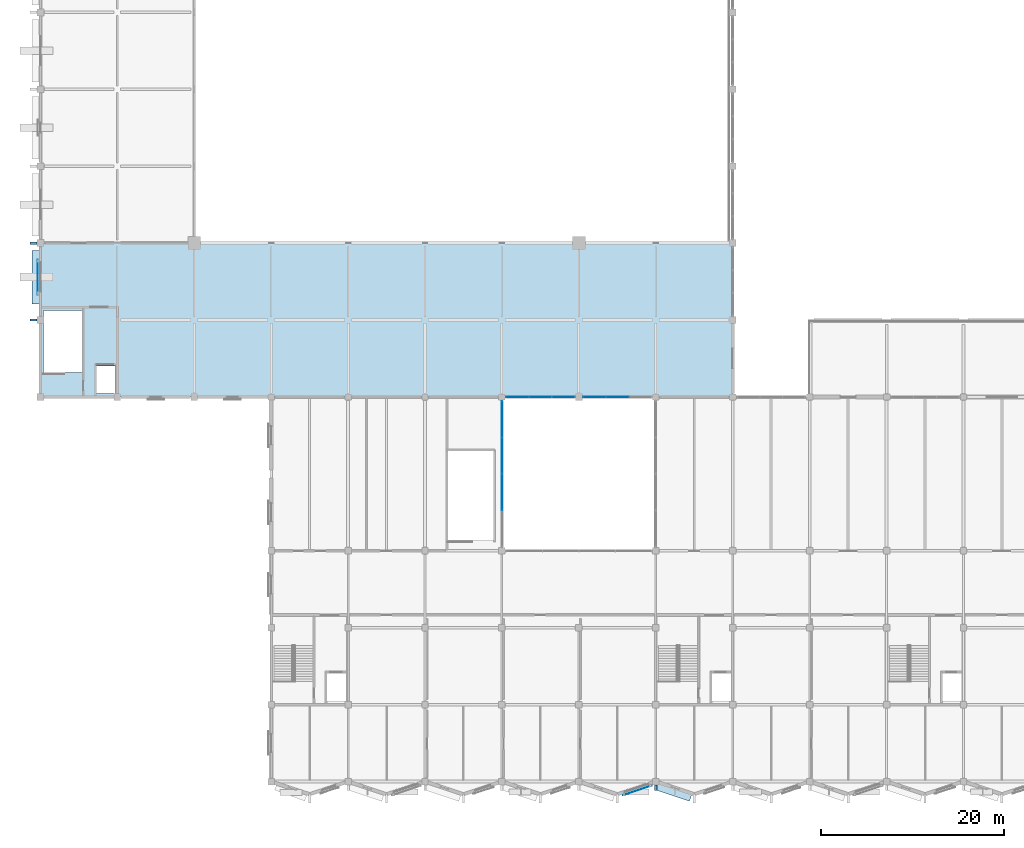
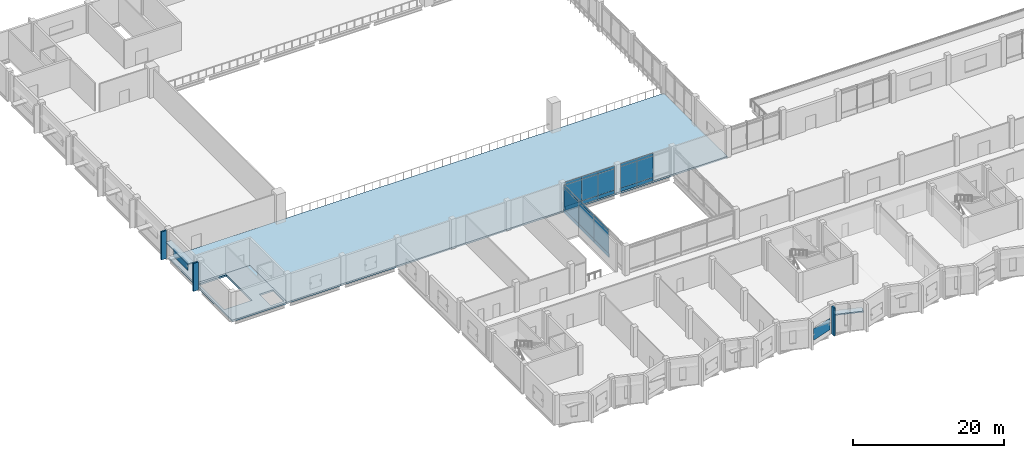
# One storey, part 70 of 110: 31 plates, 2 slabs, 3 elements without a shape of their own.
"""IFC4 building model written with IfcOpenShell, lengths in metres."""

from ifc_helpers import new_model, si_unit, direction, frame, frame_2d, origin, place, context, subcontext, project, spatial, polyline, rectangle, outline, extrude, material, layer, layer_set, type_object, element, aggregate, save


model = new_model("IFC4")

# Units and contexts
model_context = context("Model", 3, precision=1e-05, world=origin(), true_north=direction((0.0, 1.0)))
body_context = subcontext(model_context, "Body", "Model", "MODEL_VIEW")
ifc_project = project(units=[si_unit("LENGTHUNIT", "METRE"), si_unit("AREAUNIT", "SQUARE_METRE"), si_unit("VOLUMEUNIT", "CUBIC_METRE"), si_unit("PLANEANGLEUNIT", "RADIAN"), si_unit("MASSUNIT", "GRAM", prefix="KILO")], contexts=[model_context])

# Site, building, storey
site_placement = place(None, origin())
site = spatial("IfcSite", under=ifc_project, at=site_placement, CompositionType="ELEMENT")
building_placement = place(site_placement, origin())
building = spatial("IfcBuilding", under=site, at=building_placement, Name="Qawsi Khor Wholesale Market", CompositionType="ELEMENT")
storey_placement = place(building_placement, frame((0.0, 0.0, 11.39990234375)))
storey = spatial("IfcBuildingStorey", under=building, at=storey_placement, Name="L02", CompositionType="ELEMENT", Elevation=11.39990234375)

# Curtain wall, plates
ifc_material_1 = material(Name="Aluminium Anodised Bronze", Category="aluminium")
ifc_layer_1 = layer(ifc_material_1, 0.179931640625, Name="Aluminium Anodised Bronze")
ifc_layer_set_1 = layer_set([ifc_layer_1], Name="Aluminium Anodised Bronze")
curtain_wall_type = type_object("IfcCurtainWallType", Name="Atrium Full-Height Curtain Wall CW-02", PredefinedType="NOTDEFINED", material=ifc_layer_set_1)
curtain_wall_1_placement = place(storey_placement, origin())
curtain_wall_1 = element("IfcCurtainWall", 1, at=curtain_wall_1_placement, inside=storey, type_object=curtain_wall_type, Name="Curtain wall CW-CW-02-L02-022", PredefinedType="NOTDEFINED")
ifc_material_2 = material(Name="Anodised Aluminium Spandrel", Category="aluminium")
ifc_layer_2 = layer(ifc_material_2, 0.06494140625, Name="Anodised Aluminium Spandrel")
ifc_layer_set_2 = layer_set([ifc_layer_2], Name="Anodised Aluminium Spandrel")
plate_type_1 = type_object("IfcPlateType", Name="Insulated Spandrel Panel CW-02 65mm", PredefinedType="CURTAIN_PANEL", material=ifc_layer_set_2)
plate_1_placement = place(storey_placement, frame((50.844970703125, 42.0, 0.005126953125), z_axis=(0.0, 0.0, 1.0), x_axis=(1.0, 0.0, 0.0)))
plate_1 = element("IfcPlate", 2, at=plate_1_placement, type_object=plate_type_1, Name="Curtain panel CW-CW-02-L02-022-P0_00", PredefinedType="CURTAIN_PANEL", context=body_context, shape_type="SweptSolid", body=[
    extrude(rectangle(XDim=2.4951171875, YDim=0.06494140625, at=frame_2d((1.24755859375, 0.0))), origin(), (0.0, 0.0, 1.0), 0.590087890625),
])
plate_2_placement = place(storey_placement, frame((53.340087890625, 42.0, 0.005126953125), z_axis=(0.0, 0.0, 1.0), x_axis=(1.0, 0.0, 0.0)))
plate_2 = element("IfcPlate", 3, at=plate_2_placement, type_object=plate_type_1, Name="Curtain panel CW-CW-02-L02-022-P0_01", PredefinedType="CURTAIN_PANEL", context=body_context, shape_type="SweptSolid", body=[
    extrude(rectangle(XDim=2.494873046875, YDim=0.06494140625, at=frame_2d((1.24755859375, 0.0))), origin(), (0.0, 0.0, 1.0), 0.590087890625),
])
plate_3_placement = place(storey_placement, frame((55.8349609375, 42.0, 0.005126953125), z_axis=(0.0, 0.0, 1.0), x_axis=(1.0, 0.0, 0.0)))
plate_3 = element("IfcPlate", 4, at=plate_3_placement, type_object=plate_type_1, Name="Curtain panel CW-CW-02-L02-022-P0_02", PredefinedType="CURTAIN_PANEL", context=body_context, shape_type="SweptSolid", body=[
    extrude(rectangle(XDim=2.4951171875, YDim=0.06494140625, at=frame_2d((1.24755859375, 0.0))), origin(), (0.0, 0.0, 1.0), 0.590087890625),
])

curtain_wall_2_placement = place(storey_placement, origin())
curtain_wall_2 = element("IfcCurtainWall", 5, at=curtain_wall_2_placement, inside=storey, type_object=curtain_wall_type, Name="Curtain wall CW-CW-02-L02-023", PredefinedType="NOTDEFINED")
plate_4_placement = place(storey_placement, frame((59.27001953125, 42.0, 0.005126953125), z_axis=(0.0, 0.0, 1.0), x_axis=(1.0, 0.0, 0.0)))
plate_4 = element("IfcPlate", 6, at=plate_4_placement, type_object=plate_type_1, Name="Curtain panel CW-CW-02-L02-023-P0_00", PredefinedType="CURTAIN_PANEL", context=body_context, shape_type="SweptSolid", body=[
    extrude(rectangle(XDim=2.494873046875, YDim=0.06494140625, at=frame_2d((1.24755859375, 0.0))), origin(), (0.0, 0.0, 1.0), 0.590087890625),
])
plate_5_placement = place(storey_placement, frame((61.764892578125, 42.0, 0.005126953125), z_axis=(0.0, 0.0, 1.0), x_axis=(1.0, 0.0, 0.0)))
plate_5 = element("IfcPlate", 7, at=plate_5_placement, type_object=plate_type_1, Name="Curtain panel CW-CW-02-L02-023-P0_01", PredefinedType="CURTAIN_PANEL", context=body_context, shape_type="SweptSolid", body=[
    extrude(rectangle(XDim=2.4951171875, YDim=0.06494140625, at=frame_2d((1.24755859375, 0.0))), origin(), (0.0, 0.0, 1.0), 0.590087890625),
])

curtain_wall_3_placement = place(storey_placement, origin())
curtain_wall_3 = element("IfcCurtainWall", 8, at=curtain_wall_3_placement, inside=storey, type_object=curtain_wall_type, Name="Curtain wall CW-CW-02-L02-024", PredefinedType="NOTDEFINED")
plate_6_placement = place(storey_placement, frame((50.39990234375, 29.62255859375, 0.005126953125), z_axis=(0.0, 0.0, 1.0), x_axis=(0.0, 1.0, 0.0)))
plate_6 = element("IfcPlate", 9, at=plate_6_placement, type_object=plate_type_1, Name="Curtain panel CW-CW-02-L02-024-P0_01", PredefinedType="CURTAIN_PANEL", context=body_context, shape_type="SweptSolid", body=[
    extrude(rectangle(XDim=3.9775390625, YDim=0.06494140625, at=frame_2d((1.98876953125, 0.0))), origin(), (0.0, 0.0, 1.0), 0.590087890625),
])
plate_7_placement = place(storey_placement, frame((50.39990234375, 33.60009765625, 0.005126953125), z_axis=(0.0, 0.0, 1.0), x_axis=(0.0, 1.0, 0.0)))
plate_7 = element("IfcPlate", 10, at=plate_7_placement, type_object=plate_type_1, Name="Curtain panel CW-CW-02-L02-024-P0_02", PredefinedType="CURTAIN_PANEL", context=body_context, shape_type="SweptSolid", body=[
    extrude(rectangle(XDim=3.977294921875, YDim=0.06494140625, at=frame_2d((1.98876953125, 0.0))), origin(), (0.0, 0.0, 1.0), 0.590087890625),
])
plate_8_placement = place(storey_placement, frame((50.39990234375, 37.577392578125, 0.005126953125), z_axis=(0.0, 0.0, 1.0), x_axis=(0.0, 1.0, 0.0)))
plate_8 = element("IfcPlate", 11, at=plate_8_placement, type_object=plate_type_1, Name="Curtain panel CW-CW-02-L02-024-P0_03", PredefinedType="CURTAIN_PANEL", context=body_context, shape_type="SweptSolid", body=[
    extrude(rectangle(XDim=3.9775390625, YDim=0.06494140625, at=frame_2d((1.98876953125, 0.0))), origin(), (0.0, 0.0, 1.0), 0.590087890625),
])

# Slab
ifc_material_3 = material(Name="Concrete C40/50", Category="concrete")
ifc_layer_3 = layer(ifc_material_3, 0.27001953125, Name="Concrete C40/50")
ifc_layer_set_3 = layer_set([ifc_layer_3], Name="Concrete C40/50")
slab_type_1 = type_object("IfcSlabType", Name="Mezzanine Floor Slab 265 C40/50", PredefinedType="FLOOR", material=ifc_layer_set_3)
slab_1_placement = place(storey_placement, frame((0.0, 0.0, -0.27001953125)))
element("IfcSlab", 12, at=slab_1_placement, inside=storey, type_object=slab_type_1, Name="SLB-L02-WHALL-S", PredefinedType="FLOOR", context=body_context, shape_type="SweptSolid", body=[
    extrude(outline(polyline([(0.0, 58.800048828125), (75.60009765625, 58.800048828125), (75.60009765625, 42.0), (8.39990234375, 42.0), (8.39990234375, 51.800048828125), (0.0, 51.800048828125), (0.0, 58.800048828125)])), origin(), (0.0, 0.0, 1.0), 0.27001953125),
])

# Plates
ifc_material_4 = material(Name="Perforated Bronze-Anodised Aluminium", Category="aluminium")
ifc_layer_4 = layer(ifc_material_4, 0.02001953125, Name="Perforated Bronze-Anodised Aluminium")
ifc_layer_set_4 = layer_set([ifc_layer_4], Name="Perforated Bronze-Anodised Aluminium")
plate_type_2 = type_object("IfcPlateType", Name="Perforated Bronze Mashrabiya Screen 20mm", PredefinedType="SHEET", material=ifc_layer_set_4)
plate_9_placement = place(storey_placement, frame((66.756103515625, -0.448486328125, 0.85009765625), z_axis=(0.0, 0.0, 1.0), x_axis=(-0.948698092678, -0.316183378673, 0.0)))
element("IfcPlate", 13, at=plate_9_placement, inside=storey, type_object=plate_type_2, Name="Solar mashrabiya screen 025", PredefinedType="SHEET", context=body_context, shape_type="SweptSolid", body=[
    extrude(rectangle(XDim=3.300048828125, YDim=0.02001953125, at=frame_2d((1.64990234375, 0.0))), origin(), (0.0, 0.0, 1.0), 1.85009765625),
])
plate_10_placement = place(storey_placement, frame((-0.27490234375, 53.18505859375, 1.300048828125), z_axis=(0.0, 0.0, 1.0), x_axis=(0.0, 1.0, 0.0)))
element("IfcPlate", 14, at=plate_10_placement, inside=storey, type_object=plate_type_2, Name="Solar mashrabiya screen 080", PredefinedType="SHEET", context=body_context, shape_type="SweptSolid", body=[
    extrude(rectangle(XDim=3.800048828125, YDim=0.02001953125, at=frame_2d((1.89990234375, 0.0))), origin(), (0.0, 0.0, 1.0), 1.400146484375),
])
ifc_layer_5 = layer(ifc_material_3, 0.260009765625, Name="Concrete C40/50")
ifc_layer_set_5 = layer_set([ifc_layer_5], Name="Concrete C40/50")
plate_type_3 = type_object("IfcPlateType", Name="Sculpted Concrete Solar Buttress Fin 260", PredefinedType="SHEET", material=ifc_layer_set_5)
plate_11_placement = place(storey_placement, frame((67.199951171875, -0.949951171875, 0.0), z_axis=(0.0, 0.0, 1.0), x_axis=(0.0, 1.0, 0.0)))
element("IfcPlate", 15, at=plate_11_placement, inside=storey, type_object=plate_type_3, Name="Boulevard concrete solar buttress fin L02-10", PredefinedType="SHEET", context=body_context, shape_type="SweptSolid", body=[
    extrude(rectangle(XDim=0.570068359375, YDim=0.260009765625, at=frame_2d((0.28515625, 0.0))), origin(), (0.0, 0.0, 1.0), 4.52001953125),
])
for number, where, z_axis, x_axis, name in (
    (16, (-1.14990234375, 50.39990234375, 0.0), (0.0, 0.0, 1.0), (1.0, 0.0, 0.0), "West Hall Concrete Buttress Rib L02-6"),
    (17, (-1.14990234375, 58.800048828125, 0.0), (0.0, 0.0, 1.0), (1.0, 0.0, 0.0), "West Hall Concrete Buttress Rib L02-7"),
):
    element("IfcPlate", number, at=place(storey_placement, frame(where, z_axis=z_axis, x_axis=x_axis)), inside=storey, type_object=plate_type_3, Name=name, PredefinedType="SHEET", context=body_context, shape_type="SweptSolid", body=[
        extrude(rectangle(XDim=0.760009765625, YDim=0.260009765625, at=frame_2d((0.3798828125, 0.0))), origin(), (0.0, 0.0, 1.0), 4.52001953125),
    ])
ifc_layer_6 = layer(ifc_material_3, 0.949951171875, Name="Concrete C40/50")
ifc_layer_set_6 = layer_set([ifc_layer_6], Name="Concrete C40/50")
plate_type_4 = type_object("IfcPlateType", Name="Sculpted Concrete Sun-Hood Canopy 950", PredefinedType="SHEET", material=ifc_layer_set_6)
plate_12_placement = place(storey_placement, frame((67.310791015625, -0.45849609375, 3.25), z_axis=(0.0, 0.0, 1.0), x_axis=(0.94867708111, -0.316246416226, 0.0)))
element("IfcPlate", 18, at=plate_12_placement, inside=storey, type_object=plate_type_4, Name="Sculpted concrete sun-hood L02-11", PredefinedType="SHEET", context=body_context, shape_type="SweptSolid", body=[
    extrude(rectangle(XDim=3.92724609375, YDim=0.949951171875, at=frame_2d((1.963623046875, 0.0))), origin(), (0.0, 0.0, 1.0), 0.190185546875),
])
plate_13_placement = place(storey_placement, frame((-0.425048828125, 52.14990234375, 3.050048828125), z_axis=(0.0, 0.0, 1.0), x_axis=(0.0, 1.0, 0.0)))
element("IfcPlate", 19, at=plate_13_placement, inside=storey, type_object=plate_type_4, Name="West Hall Concrete Sun-Hood L02-6", PredefinedType="SHEET", context=body_context, shape_type="SweptSolid", body=[
    extrude(rectangle(XDim=5.8701171875, YDim=0.949951171875, at=frame_2d((2.93505859375, 0.0))), origin(), (0.0, 0.0, 1.0), 0.18994140625),
])

# Plate
ifc_material_5 = material(Name="Tempered Low-E Solar Glass", Category="glass")
ifc_layer_7 = layer(ifc_material_5, 0.031982421875, Name="Tempered Low-E Solar Glass")
ifc_layer_set_7 = layer_set([ifc_layer_7], Name="Tempered Low-E Solar Glass")
plate_type_5 = type_object("IfcPlateType", Name="Solar Double-Glazed Unit CW-02 32mm", PredefinedType="CURTAIN_PANEL", material=ifc_layer_set_7)
plate_14_placement = place(storey_placement, frame((50.844970703125, 42.0, 0.60498046875), z_axis=(0.0, 0.0, 1.0), x_axis=(1.0, 0.0, 0.0)))
plate_14 = element("IfcPlate", 20, at=plate_14_placement, type_object=plate_type_5, Name="Curtain panel CW-CW-02-L02-022-P1_00", PredefinedType="CURTAIN_PANEL", context=body_context, shape_type="SweptSolid", body=[
    extrude(rectangle(XDim=2.4951171875, YDim=0.031982421875, at=frame_2d((1.24755859375, 0.0))), origin(), (0.0, 0.0, 1.0), 3.460205078125),
])

plate_15_placement = place(storey_placement, frame((53.340087890625, 42.0, 0.60498046875), z_axis=(0.0, 0.0, 1.0), x_axis=(1.0, 0.0, 0.0)))
plate_15 = element("IfcPlate", 21, at=plate_15_placement, type_object=plate_type_5, Name="Curtain panel CW-CW-02-L02-022-P1_01", PredefinedType="CURTAIN_PANEL", context=body_context, shape_type="SweptSolid", body=[
    extrude(rectangle(XDim=2.494873046875, YDim=0.031982421875, at=frame_2d((1.24755859375, 0.0))), origin(), (0.0, 0.0, 1.0), 3.460205078125),
])

plate_16_placement = place(storey_placement, frame((55.8349609375, 42.0, 0.60498046875), z_axis=(0.0, 0.0, 1.0), x_axis=(1.0, 0.0, 0.0)))
plate_16 = element("IfcPlate", 22, at=plate_16_placement, type_object=plate_type_5, Name="Curtain panel CW-CW-02-L02-022-P1_02", PredefinedType="CURTAIN_PANEL", context=body_context, shape_type="SweptSolid", body=[
    extrude(rectangle(XDim=2.4951171875, YDim=0.031982421875, at=frame_2d((1.24755859375, 0.0))), origin(), (0.0, 0.0, 1.0), 3.460205078125),
])

plate_17_placement = place(storey_placement, frame((50.844970703125, 42.0, 4.0751953125), z_axis=(0.0, 0.0, 1.0), x_axis=(1.0, 0.0, 0.0)))
plate_17 = element("IfcPlate", 23, at=plate_17_placement, type_object=plate_type_5, Name="Curtain panel CW-CW-02-L02-022-P2_00", PredefinedType="CURTAIN_PANEL", context=body_context, shape_type="SweptSolid", body=[
    extrude(rectangle(XDim=2.4951171875, YDim=0.031982421875, at=frame_2d((1.24755859375, 0.0))), origin(), (0.0, 0.0, 1.0), 0.43994140625),
])

plate_18_placement = place(storey_placement, frame((53.340087890625, 42.0, 4.0751953125), z_axis=(0.0, 0.0, 1.0), x_axis=(1.0, 0.0, 0.0)))
plate_18 = element("IfcPlate", 24, at=plate_18_placement, type_object=plate_type_5, Name="Curtain panel CW-CW-02-L02-022-P2_01", PredefinedType="CURTAIN_PANEL", context=body_context, shape_type="SweptSolid", body=[
    extrude(rectangle(XDim=2.494873046875, YDim=0.031982421875, at=frame_2d((1.24755859375, 0.0))), origin(), (0.0, 0.0, 1.0), 0.43994140625),
])

plate_19_placement = place(storey_placement, frame((55.8349609375, 42.0, 4.0751953125), z_axis=(0.0, 0.0, 1.0), x_axis=(1.0, 0.0, 0.0)))
plate_19 = element("IfcPlate", 25, at=plate_19_placement, type_object=plate_type_5, Name="Curtain panel CW-CW-02-L02-022-P2_02", PredefinedType="CURTAIN_PANEL", context=body_context, shape_type="SweptSolid", body=[
    extrude(rectangle(XDim=2.4951171875, YDim=0.031982421875, at=frame_2d((1.24755859375, 0.0))), origin(), (0.0, 0.0, 1.0), 0.43994140625),
])

aggregate(curtain_wall_1, [plate_1, plate_2, plate_3, plate_14, plate_15, plate_16, plate_17, plate_18, plate_19])

plate_20_placement = place(storey_placement, frame((59.27001953125, 42.0, 0.60498046875), z_axis=(0.0, 0.0, 1.0), x_axis=(1.0, 0.0, 0.0)))
plate_20 = element("IfcPlate", 26, at=plate_20_placement, type_object=plate_type_5, Name="Curtain panel CW-CW-02-L02-023-P1_00", PredefinedType="CURTAIN_PANEL", context=body_context, shape_type="SweptSolid", body=[
    extrude(rectangle(XDim=2.494873046875, YDim=0.031982421875, at=frame_2d((1.24755859375, 0.0))), origin(), (0.0, 0.0, 1.0), 3.460205078125),
])

plate_21_placement = place(storey_placement, frame((61.764892578125, 42.0, 0.60498046875), z_axis=(0.0, 0.0, 1.0), x_axis=(1.0, 0.0, 0.0)))
plate_21 = element("IfcPlate", 27, at=plate_21_placement, type_object=plate_type_5, Name="Curtain panel CW-CW-02-L02-023-P1_01", PredefinedType="CURTAIN_PANEL", context=body_context, shape_type="SweptSolid", body=[
    extrude(rectangle(XDim=2.4951171875, YDim=0.031982421875, at=frame_2d((1.24755859375, 0.0))), origin(), (0.0, 0.0, 1.0), 3.460205078125),
])

plate_22_placement = place(storey_placement, frame((59.27001953125, 42.0, 4.0751953125), z_axis=(0.0, 0.0, 1.0), x_axis=(1.0, 0.0, 0.0)))
plate_22 = element("IfcPlate", 28, at=plate_22_placement, type_object=plate_type_5, Name="Curtain panel CW-CW-02-L02-023-P2_00", PredefinedType="CURTAIN_PANEL", context=body_context, shape_type="SweptSolid", body=[
    extrude(rectangle(XDim=2.494873046875, YDim=0.031982421875, at=frame_2d((1.24755859375, 0.0))), origin(), (0.0, 0.0, 1.0), 0.43994140625),
])

plate_23_placement = place(storey_placement, frame((61.764892578125, 42.0, 4.0751953125), z_axis=(0.0, 0.0, 1.0), x_axis=(1.0, 0.0, 0.0)))
plate_23 = element("IfcPlate", 29, at=plate_23_placement, type_object=plate_type_5, Name="Curtain panel CW-CW-02-L02-023-P2_01", PredefinedType="CURTAIN_PANEL", context=body_context, shape_type="SweptSolid", body=[
    extrude(rectangle(XDim=2.4951171875, YDim=0.031982421875, at=frame_2d((1.24755859375, 0.0))), origin(), (0.0, 0.0, 1.0), 0.43994140625),
])

aggregate(curtain_wall_2, [plate_4, plate_5, plate_20, plate_21, plate_22, plate_23])

plate_24_placement = place(storey_placement, frame((50.39990234375, 29.62255859375, 0.60498046875), z_axis=(0.0, 0.0, 1.0), x_axis=(0.0, 1.0, 0.0)))
plate_24 = element("IfcPlate", 30, at=plate_24_placement, type_object=plate_type_5, Name="Curtain panel CW-CW-02-L02-024-P1_01", PredefinedType="CURTAIN_PANEL", context=body_context, shape_type="SweptSolid", body=[
    extrude(rectangle(XDim=3.9775390625, YDim=0.031982421875, at=frame_2d((1.98876953125, 0.0))), origin(), (0.0, 0.0, 1.0), 3.460205078125),
])

plate_25_placement = place(storey_placement, frame((50.39990234375, 33.60009765625, 0.60498046875), z_axis=(0.0, 0.0, 1.0), x_axis=(0.0, 1.0, 0.0)))
plate_25 = element("IfcPlate", 31, at=plate_25_placement, type_object=plate_type_5, Name="Curtain panel CW-CW-02-L02-024-P1_02", PredefinedType="CURTAIN_PANEL", context=body_context, shape_type="SweptSolid", body=[
    extrude(rectangle(XDim=3.977294921875, YDim=0.031982421875, at=frame_2d((1.98876953125, 0.0))), origin(), (0.0, 0.0, 1.0), 3.460205078125),
])

plate_26_placement = place(storey_placement, frame((50.39990234375, 37.577392578125, 0.60498046875), z_axis=(0.0, 0.0, 1.0), x_axis=(0.0, 1.0, 0.0)))
plate_26 = element("IfcPlate", 32, at=plate_26_placement, type_object=plate_type_5, Name="Curtain panel CW-CW-02-L02-024-P1_03", PredefinedType="CURTAIN_PANEL", context=body_context, shape_type="SweptSolid", body=[
    extrude(rectangle(XDim=3.9775390625, YDim=0.031982421875, at=frame_2d((1.98876953125, 0.0))), origin(), (0.0, 0.0, 1.0), 3.460205078125),
])

plate_27_placement = place(storey_placement, frame((50.39990234375, 29.62255859375, 4.0751953125), z_axis=(0.0, 0.0, 1.0), x_axis=(0.0, 1.0, 0.0)))
plate_27 = element("IfcPlate", 33, at=plate_27_placement, type_object=plate_type_5, Name="Curtain panel CW-CW-02-L02-024-P2_01", PredefinedType="CURTAIN_PANEL", context=body_context, shape_type="SweptSolid", body=[
    extrude(rectangle(XDim=3.9775390625, YDim=0.031982421875, at=frame_2d((1.98876953125, 0.0))), origin(), (0.0, 0.0, 1.0), 0.43994140625),
])

plate_28_placement = place(storey_placement, frame((50.39990234375, 33.60009765625, 4.0751953125), z_axis=(0.0, 0.0, 1.0), x_axis=(0.0, 1.0, 0.0)))
plate_28 = element("IfcPlate", 34, at=plate_28_placement, type_object=plate_type_5, Name="Curtain panel CW-CW-02-L02-024-P2_02", PredefinedType="CURTAIN_PANEL", context=body_context, shape_type="SweptSolid", body=[
    extrude(rectangle(XDim=3.977294921875, YDim=0.031982421875, at=frame_2d((1.98876953125, 0.0))), origin(), (0.0, 0.0, 1.0), 0.43994140625),
])

plate_29_placement = place(storey_placement, frame((50.39990234375, 37.577392578125, 4.0751953125), z_axis=(0.0, 0.0, 1.0), x_axis=(0.0, 1.0, 0.0)))
plate_29 = element("IfcPlate", 35, at=plate_29_placement, type_object=plate_type_5, Name="Curtain panel CW-CW-02-L02-024-P2_03", PredefinedType="CURTAIN_PANEL", context=body_context, shape_type="SweptSolid", body=[
    extrude(rectangle(XDim=3.9775390625, YDim=0.031982421875, at=frame_2d((1.98876953125, 0.0))), origin(), (0.0, 0.0, 1.0), 0.43994140625),
])

aggregate(curtain_wall_3, [plate_6, plate_7, plate_8, plate_24, plate_25, plate_26, plate_27, plate_28, plate_29])

# Slab
ifc_layer_8 = layer(ifc_material_3, 0.280029296875, Name="Concrete C40/50")
ifc_layer_set_8 = layer_set([ifc_layer_8], Name="Concrete C40/50")
slab_type_2 = type_object("IfcSlabType", Name="Suspended Floor Slab 280 C40/50", PredefinedType="FLOOR", material=ifc_layer_set_8)
slab_2_placement = place(storey_placement, frame((0.0, 0.0, -0.27978515625)))
element("IfcSlab", 36, at=slab_2_placement, inside=storey, type_object=slab_type_2, Name="Core floor slab L02 C07", PredefinedType="FLOOR", context=body_context, shape_type="SweptSolid", body=[
    extrude(outline(polyline([(0.0, 51.800048828125), (8.39990234375, 51.800048828125), (8.39990234375, 42.0), (0.0, 42.0), (0.0, 51.800048828125)]), holes=[polyline([(6.1201171875, 42.39990234375), (8.199951171875, 42.39990234375), (8.199951171875, 45.39990234375), (6.1201171875, 45.39990234375), (6.1201171875, 42.39990234375)]), polyline([(0.340087890625, 44.679931640625), (4.580078125, 44.679931640625), (4.580078125, 51.4599609375), (0.340087890625, 51.4599609375), (0.340087890625, 44.679931640625)])]), origin(), (0.0, 0.0, 1.0), 0.27978515625),
])

save(model, "model.ifc")
